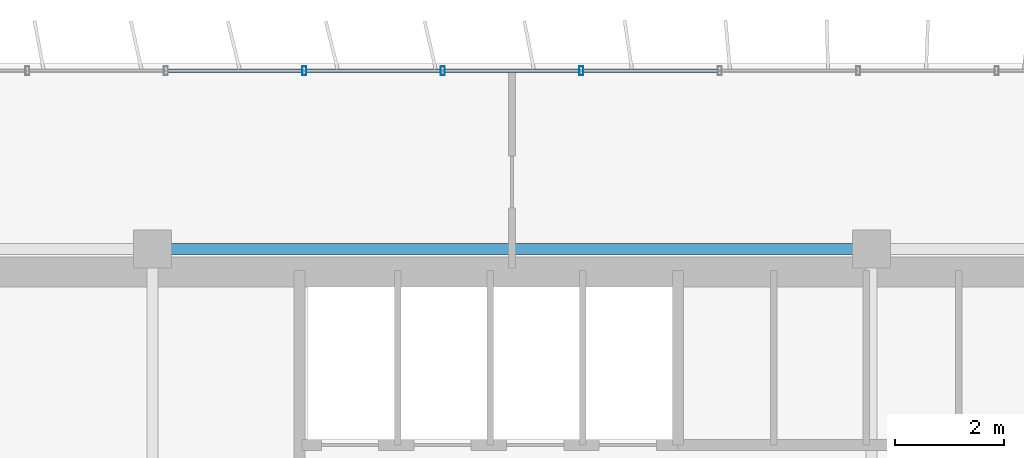
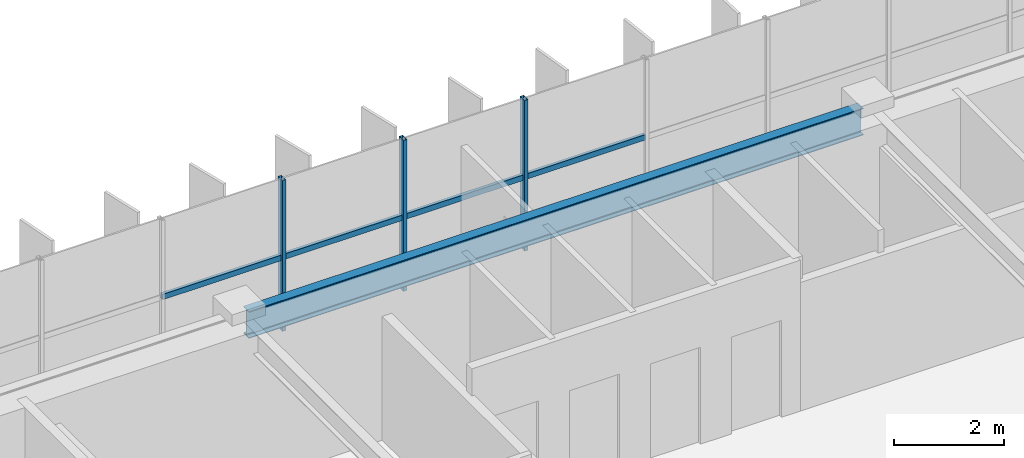
# One storey, part 7 of 20: 7 members, 1 beam, 1 element without a shape of its own.
"""IFC4 building model written with IfcOpenShell, lengths in metres."""

from ifc_helpers import new_model, si_unit, direction, frame, origin, origin_2d, place, context, subcontext, project, spatial, hollow_rectangle, i_section, extrude, source, transform, mapped, material, material_profile, profile_set, type_object, element, aggregate, save


model = new_model("IFC4")

# Units and contexts
model_context = context("Model", 3, precision=1e-05, world=origin(), true_north=direction((0.0, 1.0)))
body_context = subcontext(model_context, "Body", "Model", "MODEL_VIEW")
ifc_project = project(units=[si_unit("LENGTHUNIT", "METRE"), si_unit("AREAUNIT", "SQUARE_METRE"), si_unit("VOLUMEUNIT", "CUBIC_METRE"), si_unit("PLANEANGLEUNIT", "RADIAN"), si_unit("MASSUNIT", "GRAM", prefix="KILO")], contexts=[model_context])

# Site, building, storey
site_placement = place(None, origin())
site = spatial("IfcSite", under=ifc_project, at=site_placement, CompositionType="ELEMENT")
building_placement = place(site_placement, origin())
building = spatial("IfcBuilding", under=site, at=building_placement, Name="Trelvane Seafront Commons", CompositionType="ELEMENT")
storey_placement = place(building_placement, frame((0.0, 0.0, 164.5)))
storey = spatial("IfcBuildingStorey", under=building, at=storey_placement, Name="L43", CompositionType="ELEMENT", Elevation=164.5)

# Beam
ifc_material_1 = material(Name="Steel SM355 (S355)", Category="steel")
ifc_material_profile_1 = material_profile(ifc_material_1, i_section(OverallWidth=0.199951171875, OverallDepth=0.60009765625, WebThickness=0.010986328125, FlangeThickness=0.01708984375, at=origin_2d()), Name="H-600x200x11x17")
ifc_profile_set_1 = profile_set([ifc_material_profile_1], Name="Steel SM355 (S355)")
beam_type = type_object("IfcBeamType", Name="STR-SPD-H600", PredefinedType="SPANDREL", material=ifc_profile_set_1)
shared_shape_1 = source(origin(), body_context, "Body", "SweptSolid", [
    extrude(i_section(OverallWidth=0.199951171875, OverallDepth=0.60009765625, WebThickness=0.010986328125, FlangeThickness=0.01708984375, at=origin_2d()), origin(), (0.0, 0.0, 1.0), 12.89990234375),
])
beam_placement = place(storey_placement, frame((30.75, 45.10009765625, 3.050048828125), z_axis=(1.0, 0.0, 0.0), x_axis=(0.0, 1.0, 0.0)))
element("IfcBeam", 1, at=beam_placement, inside=storey, type_object=beam_type, Name="L43 Primary Girder G-25", PredefinedType="SPANDREL", context=body_context, shape_type="MappedRepresentation", body=[
    mapped(shared_shape_1, transform((0.0, 0.0, 0.0), x_axis=(1.0, 0.0, 0.0), y_axis=(0.0, 1.0, 0.0), z_axis=(0.0, 0.0, 1.0), scale=1.0)),
])

# Curtain wall, members
ifc_material_2 = material(Name="Anodised pale-silver aluminium", Category="aluminium")
curtain_wall_type = type_object("IfcCurtainWallType", Name="ARCH-CW5-UPTOWER", PredefinedType="NOTDEFINED", material=ifc_material_2)
curtain_wall_placement = place(storey_placement, origin())
curtain_wall = element("IfcCurtainWall", 2, at=curtain_wall_placement, inside=storey, type_object=curtain_wall_type, Name="CW-L43-0070", PredefinedType="NOTDEFINED")
ifc_material_profile_2 = material_profile(ifc_material_2, hollow_rectangle(XDim=0.070068359375, YDim=0.1201171875, WallThickness=0.00390625, at=origin_2d()), Name="TRAN-70x120x4")
ifc_profile_set_2 = profile_set([ifc_material_profile_2], Name="Anodised pale-silver aluminium")
member_type_1 = type_object("IfcMemberType", Name="ARCH-CW-TRAN-120", PredefinedType="USERDEFINED", material=ifc_profile_set_2)
shared_shape_2 = source(origin(), body_context, "Body", "SweptSolid", [
    extrude(hollow_rectangle(XDim=0.070068359375, YDim=0.1201171875, WallThickness=0.00390625, at=origin_2d()), origin(), (0.0, 0.0, 1.0), 2.51708984375),
])
member_1_placement = place(storey_placement, frame((30.859130859375, 48.3701171875, 1.60791015625), z_axis=(1.0, 0.0, 0.0), x_axis=(0.0, 1.0, 0.0)))
member_1 = element("IfcMember", 3, at=member_1_placement, type_object=member_type_1, Name="CW-L43-0070-T06", ObjectType="TRANSOM", PredefinedType="USERDEFINED", context=body_context, shape_type="MappedRepresentation", body=[
    mapped(shared_shape_2, transform((0.0, 0.0, 0.0), x_axis=(1.0, 0.0, 0.0), y_axis=(0.0, 1.0, 0.0), z_axis=(0.0, 0.0, 1.0), scale=1.0)),
])
member_2_placement = place(storey_placement, frame((35.94140625, 48.3701171875, 1.60791015625), z_axis=(1.0, 0.0, 0.0), x_axis=(0.0, 1.0, 0.0)))
member_2 = element("IfcMember", 4, at=member_2_placement, type_object=member_type_1, Name="CW-L43-0070-T08", ObjectType="TRANSOM", PredefinedType="USERDEFINED", context=body_context, shape_type="MappedRepresentation", body=[
    mapped(shared_shape_2, transform((0.0, 0.0, 0.0), x_axis=(1.0, 0.0, 0.0), y_axis=(0.0, 1.0, 0.0), z_axis=(0.0, 0.0, 1.0), scale=1.0)),
])
member_3_placement = place(storey_placement, frame((38.482666015625, 48.3701171875, 1.60791015625), z_axis=(1.0, 0.0, 0.0), x_axis=(0.0, 1.0, 0.0)))
member_3 = element("IfcMember", 5, at=member_3_placement, type_object=member_type_1, Name="CW-L43-0070-T09", ObjectType="TRANSOM", PredefinedType="USERDEFINED", context=body_context, shape_type="MappedRepresentation", body=[
    mapped(shared_shape_2, transform((0.0, 0.0, 0.0), x_axis=(1.0, 0.0, 0.0), y_axis=(0.0, 1.0, 0.0), z_axis=(0.0, 0.0, 1.0), scale=1.0)),
])
shared_shape_3 = source(origin(), body_context, "Body", "SweptSolid", [
    extrude(hollow_rectangle(XDim=0.070068359375, YDim=0.1201171875, WallThickness=0.00390625, at=origin_2d()), origin(), (0.0, 0.0, 1.0), 2.517333984375),
])
member_4_placement = place(storey_placement, frame((33.400146484375, 48.3701171875, 1.60791015625), z_axis=(1.0, 0.0, 0.0), x_axis=(0.0, 1.0, 0.0)))
member_4 = element("IfcMember", 6, at=member_4_placement, type_object=member_type_1, Name="CW-L43-0070-T07", ObjectType="TRANSOM", PredefinedType="USERDEFINED", context=body_context, shape_type="MappedRepresentation", body=[
    mapped(shared_shape_3, transform((0.0, 0.0, 0.0), x_axis=(1.0, 0.0, 0.0), y_axis=(0.0, 1.0, 0.0), z_axis=(0.0, 0.0, 1.0), scale=1.0)),
])
ifc_material_profile_3 = material_profile(ifc_material_2, hollow_rectangle(XDim=0.074951171875, YDim=0.159912109375, WallThickness=0.00390625, at=origin_2d()), Name="MULL-75x160x4")
ifc_profile_set_3 = profile_set([ifc_material_profile_3], Name="Anodised pale-silver aluminium")
member_type_2 = type_object("IfcMemberType", Name="ARCH-CW-MULL-160", PredefinedType="MULLION", material=ifc_profile_set_3)
shared_shape_4 = source(origin(), body_context, "Body", "SweptSolid", [
    extrude(hollow_rectangle(XDim=0.074951171875, YDim=0.159912109375, WallThickness=0.00390625, at=origin_2d()), origin(), (0.0, 0.0, 1.0), 3.35009765625),
])
member_5_placement = place(storey_placement, frame((33.38818359375, 48.3701171875, 0.0), z_axis=(0.0, 0.0, 1.0), x_axis=(1.0, 0.0, 0.0)))
member_5 = element("IfcMember", 7, at=member_5_placement, type_object=member_type_2, Name="CW-L43-0070-M07", PredefinedType="MULLION", context=body_context, shape_type="MappedRepresentation", body=[
    mapped(shared_shape_4, transform((0.0, 0.0, 0.0), x_axis=(1.0, 0.0, 0.0), y_axis=(0.0, 1.0, 0.0), z_axis=(0.0, 0.0, 1.0), scale=1.0)),
])
member_6_placement = place(storey_placement, frame((35.929443359375, 48.3701171875, 0.0), z_axis=(0.0, 0.0, 1.0), x_axis=(1.0, 0.0, 0.0)))
member_6 = element("IfcMember", 8, at=member_6_placement, type_object=member_type_2, Name="CW-L43-0070-M08", PredefinedType="MULLION", context=body_context, shape_type="MappedRepresentation", body=[
    mapped(shared_shape_4, transform((0.0, 0.0, 0.0), x_axis=(1.0, 0.0, 0.0), y_axis=(0.0, 1.0, 0.0), z_axis=(0.0, 0.0, 1.0), scale=1.0)),
])
member_7_placement = place(storey_placement, frame((38.470703125, 48.3701171875, 0.0), z_axis=(0.0, 0.0, 1.0), x_axis=(1.0, 0.0, 0.0)))
member_7 = element("IfcMember", 9, at=member_7_placement, type_object=member_type_2, Name="CW-L43-0070-M09", PredefinedType="MULLION", context=body_context, shape_type="MappedRepresentation", body=[
    mapped(shared_shape_4, transform((0.0, 0.0, 0.0), x_axis=(1.0, 0.0, 0.0), y_axis=(0.0, 1.0, 0.0), z_axis=(0.0, 0.0, 1.0), scale=1.0)),
])
aggregate(curtain_wall, [member_5, member_6, member_7, member_1, member_4, member_2, member_3])

save(model, "model.ifc")
